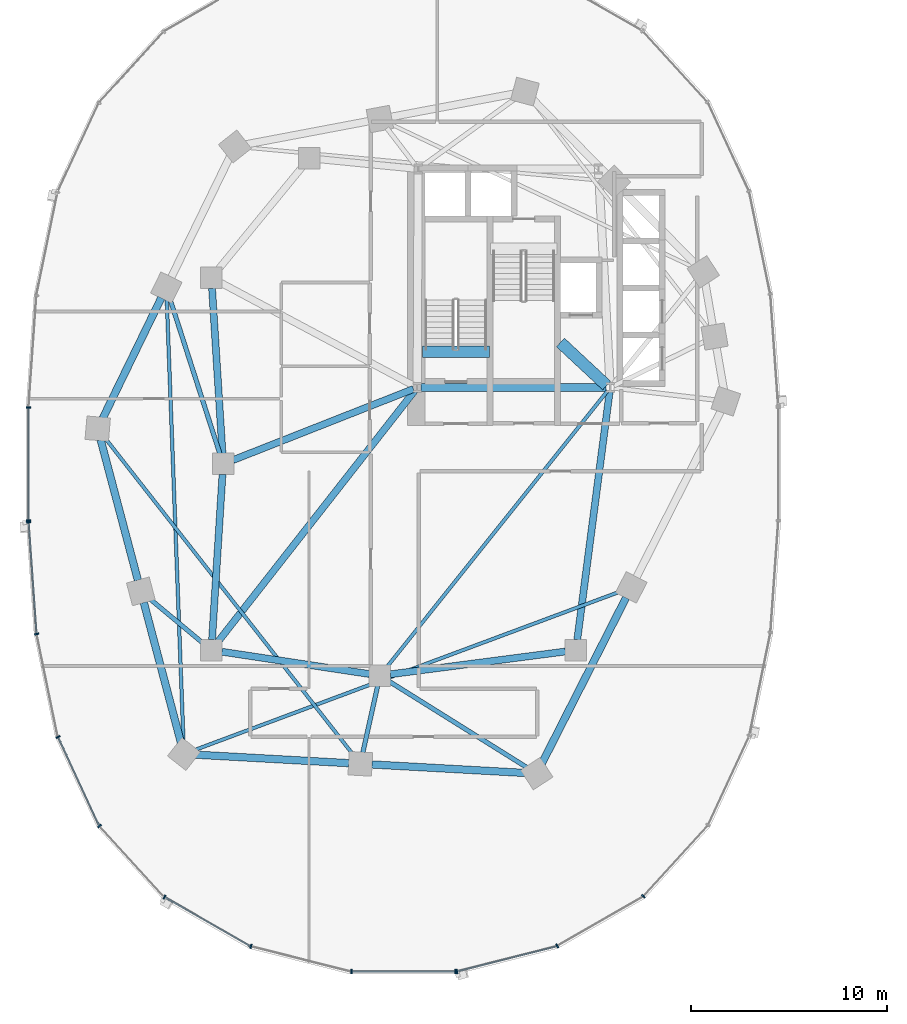
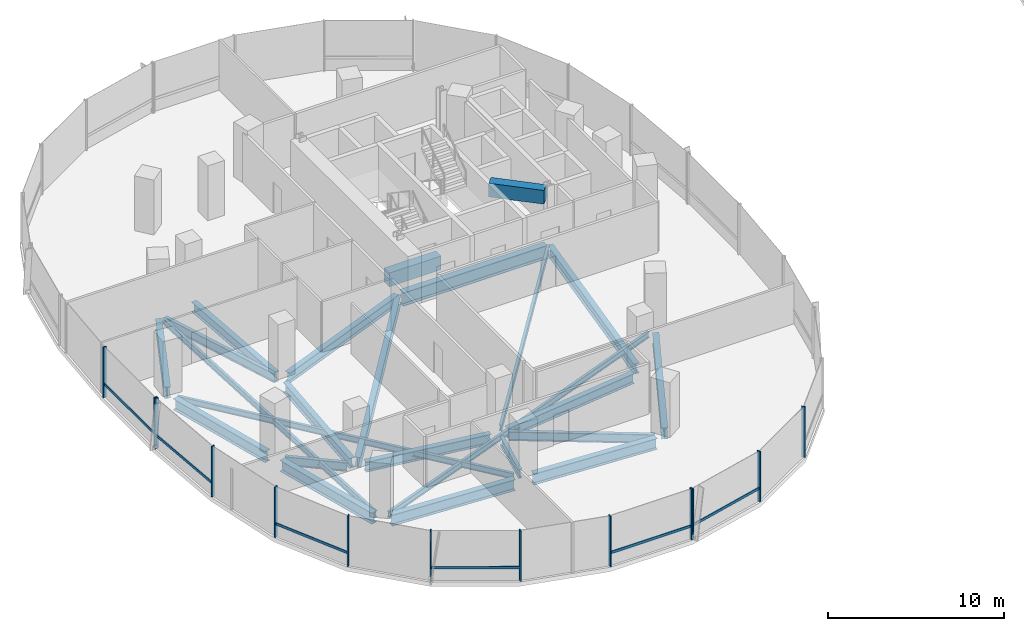
# One storey, part 2 of 21: 24 beams, 19 members, 3 elements without a shape of their own.
"""IFC4 building model written with IfcOpenShell, lengths in metres."""

from ifc_helpers import new_model, si_unit, direction, frame, origin, origin_2d, place, context, subcontext, project, spatial, rectangle, i_section, extrude, material, material_profile, profile_set, type_object, element, aggregate, save


model = new_model("IFC4")

# Units and contexts
model_context = context("Model", 3, precision=1e-05, world=origin(), true_north=direction((0.0, 1.0)))
body_context = subcontext(model_context, "Body", "Model", "MODEL_VIEW")
ifc_project = project(units=[si_unit("LENGTHUNIT", "METRE"), si_unit("AREAUNIT", "SQUARE_METRE"), si_unit("VOLUMEUNIT", "CUBIC_METRE"), si_unit("PLANEANGLEUNIT", "RADIAN"), si_unit("MASSUNIT", "GRAM", prefix="KILO"), si_unit("THERMODYNAMICTEMPERATUREUNIT", "KELVIN"), si_unit("POWERUNIT", "WATT")], contexts=[model_context])

# Site, building, storey
site_placement = place(None, origin())
site = spatial("IfcSite", under=ifc_project, at=site_placement, CompositionType="ELEMENT")
building_placement = place(site_placement, origin())
building = spatial("IfcBuilding", under=site, at=building_placement, Name="Cundina Bronze Exchange", CompositionType="ELEMENT")
storey_placement = place(building_placement, frame((0.0, 0.0, 50.60009765625)))
storey = spatial("IfcBuildingStorey", under=building, at=storey_placement, Name="L12", CompositionType="ELEMENT", Elevation=50.60009765625)

# Beams
ifc_material_1 = material(Name="Concrete C60/75", Category="concrete")
ifc_material_profile_1 = material_profile(ifc_material_1, rectangle(XDim=0.60009765625, YDim=0.949951171875, at=origin_2d()), Name="RC600X950", Category="concrete")
ifc_profile_set_1 = profile_set([ifc_material_profile_1], Name="Concrete C60/75")
beam_type_1 = type_object("IfcBeamType", Name="BM-COUP-RC950", PredefinedType="LINTEL", material=ifc_profile_set_1)
beam_1_placement = place(storey_placement, frame((-31.02001953125, 5.719970703125, -0.47509765625), z_axis=(1.0, 0.0, 0.0), x_axis=(0.0, 1.0, 0.0)))
element("IfcBeam", 1, at=beam_1_placement, inside=storey, type_object=beam_type_1, Name="L12 Stair W1 Landing Header Beam", PredefinedType="LINTEL", context=body_context, shape_type="SweptSolid", body=[
    extrude(rectangle(XDim=0.60009765625, YDim=0.949951171875, at=origin_2d()), origin(), (0.0, 0.0, 1.0), 3.39990234375),
])
beam_2_placement = place(storey_placement, frame((-23.989990234375, 6.199951171875, 3.02490234375), z_axis=(0.731490439815, -0.681851696822, 0.0), x_axis=(0.681851696822, 0.731490439815, 0.0)))
element("IfcBeam", 2, at=beam_2_placement, inside=storey, type_object=beam_type_1, Name="L12 W Core Shear Coupling Lintel Beam", PredefinedType="LINTEL", context=body_context, shape_type="SweptSolid", body=[
    extrude(rectangle(XDim=0.60009765625, YDim=0.949951171875, at=origin_2d()), origin(), (0.0, 0.0, 1.0), 3.226318359375),
])
ifc_material_2 = material(Name="Steel ASTM A992 Grade 50", Category="steel")
ifc_material_profile_2 = material_profile(ifc_material_2, i_section(OverallWidth=0.22998046875, OverallDepth=0.616943359375, WebThickness=0.01318359375, FlangeThickness=0.022216796875, FilletRadius=0.013916015625, at=origin_2d()), Name="W24X94", Category="steel")
ifc_profile_set_2 = profile_set([ifc_material_profile_2], Name="Steel ASTM A992 Grade 50")
beam_type_2 = type_object("IfcBeamType", Name="BM-FLR-W24B", PredefinedType="BEAM", material=ifc_profile_set_2)
beam_3_placement = place(storey_placement, frame((-41.364990234375, 0.51220703125, -0.608642578125), z_axis=(-0.306706454167, 0.951804155787, 0.0), x_axis=(-0.951804155787, -0.306706454167, 0.0)))
element("IfcBeam", 3, at=beam_3_placement, inside=storey, type_object=beam_type_2, Name="L12 Leg W Radial Floor Beam 07", PredefinedType="BEAM", context=body_context, shape_type="SweptSolid", body=[
    extrude(i_section(OverallWidth=0.22998046875, OverallDepth=0.616943359375, WebThickness=0.01318359375, FlangeThickness=0.022216796875, FilletRadius=0.013916015625, at=origin_2d()), origin(), (0.0, 0.0, 1.0), 8.329345703125),
])
beam_4_placement = place(storey_placement, frame((-42.21337890625, -9.155517578125, -0.608642578125), z_axis=(-0.768221279597, 0.640184399664, 0.0), x_axis=(-0.640184399664, -0.768221279597, 0.0)))
element("IfcBeam", 4, at=beam_4_placement, inside=storey, type_object=beam_type_2, Name="L12 Leg W Radial Floor Beam 09", PredefinedType="BEAM", context=body_context, shape_type="SweptSolid", body=[
    extrude(i_section(OverallWidth=0.22998046875, OverallDepth=0.616943359375, WebThickness=0.01318359375, FlangeThickness=0.022216796875, FilletRadius=0.013916015625, at=origin_2d()), origin(), (0.0, 0.0, 1.0), 3.56005859375),
])
beam_5_placement = place(storey_placement, frame((-33.316650390625, -11.3251953125, -0.608642578125), z_axis=(-0.216960137628, -0.976180464197, 0.0), x_axis=(0.976180464197, -0.216960137628, 0.0)))
element("IfcBeam", 5, at=beam_5_placement, inside=storey, type_object=beam_type_2, Name="L12 Leg W Radial Floor Beam 11", PredefinedType="BEAM", context=body_context, shape_type="SweptSolid", body=[
    extrude(i_section(OverallWidth=0.22998046875, OverallDepth=0.616943359375, WebThickness=0.01318359375, FlangeThickness=0.022216796875, FilletRadius=0.013916015625, at=origin_2d()), origin(), (0.0, 0.0, 1.0), 3.48388671875),
])
beam_6_placement = place(storey_placement, frame((-32.743896484375, -11.085205078125, -0.608642578125), z_axis=(0.848014812458, -0.529972525563, 0.0), x_axis=(0.529972525563, 0.848014812458, 0.0)))
element("IfcBeam", 6, at=beam_6_placement, inside=storey, type_object=beam_type_2, Name="L12 Leg W Radial Floor Beam 12", PredefinedType="BEAM", context=body_context, shape_type="SweptSolid", body=[
    extrude(i_section(OverallWidth=0.22998046875, OverallDepth=0.616943359375, WebThickness=0.01318359375, FlangeThickness=0.022216796875, FilletRadius=0.013916015625, at=origin_2d()), origin(), (0.0, 0.0, 1.0), 8.30810546875),
])
ifc_material_profile_3 = material_profile(ifc_material_2, i_section(OverallWidth=0.178955078125, OverallDepth=0.409912109375, WebThickness=0.0087890625, FlangeThickness=0.014404296875, FilletRadius=0.010986328125, at=origin_2d()), Name="W16X45", Category="steel")
ifc_profile_set_3 = profile_set([ifc_material_profile_3], Name="Steel ASTM A992 Grade 50")
beam_type_3 = type_object("IfcBeamType", Name="BM-JST-W16", PredefinedType="JOIST", material=ifc_profile_set_3)
beam_7_placement = place(storey_placement, frame((-21.577392578125, 3.740478515625, -0.505126953125), z_axis=(-0.62436887964, -0.781129632095, 0.0), x_axis=(0.781129632095, -0.62436887964, 0.0)))
element("IfcBeam", 7, at=beam_7_placement, inside=storey, type_object=beam_type_3, Name="L12 W Interior Core-to-Ring Joist 2", PredefinedType="JOIST", context=body_context, shape_type="SweptSolid", body=[
    extrude(i_section(OverallWidth=0.178955078125, OverallDepth=0.409912109375, WebThickness=0.0087890625, FlangeThickness=0.014404296875, FilletRadius=0.010986328125, at=origin_2d()), origin(), (0.0, 0.0, 1.0), 18.076904296875),
])
beam_8_placement = place(storey_placement, frame((-44.077880859375, 8.412353515625, -0.505126953125), z_axis=(0.037794949147, -0.999285515666, 0.0), x_axis=(0.999285515666, 0.037794949147, 0.0)))
element("IfcBeam", 8, at=beam_8_placement, inside=storey, type_object=beam_type_3, Name="L12 Leg W Lobe Floor Joist 07-10", PredefinedType="JOIST", context=body_context, shape_type="SweptSolid", body=[
    extrude(i_section(OverallWidth=0.178955078125, OverallDepth=0.409912109375, WebThickness=0.0087890625, FlangeThickness=0.014404296875, FilletRadius=0.010986328125, at=origin_2d()), origin(), (0.0, 0.0, 1.0), 22.640869140625),
])
beam_9_placement = place(storey_placement, frame((-47.2373046875, 1.337158203125, -0.505126953125), z_axis=(0.616803089524, -0.787117493614, 0.0), x_axis=(0.787117493614, 0.616803089524, 0.0)))
element("IfcBeam", 9, at=beam_9_placement, inside=storey, type_object=beam_type_3, Name="L12 Leg W Lobe Floor Joist 08-11", PredefinedType="JOIST", context=body_context, shape_type="SweptSolid", body=[
    extrude(i_section(OverallWidth=0.178955078125, OverallDepth=0.409912109375, WebThickness=0.0087890625, FlangeThickness=0.014404296875, FilletRadius=0.010986328125, at=origin_2d()), origin(), (0.0, 0.0, 1.0), 20.548828125),
])
beam_10_placement = place(storey_placement, frame((-42.64892578125, -14.5947265625, -0.505126953125), z_axis=(0.937127912449, 0.348986068074, 0.0), x_axis=(-0.348986068074, 0.937127912449, 0.0)))
element("IfcBeam", 10, at=beam_10_placement, inside=storey, type_object=beam_type_3, Name="L12 Leg W Lobe Floor Joist 10-13", PredefinedType="JOIST", context=body_context, shape_type="SweptSolid", body=[
    extrude(i_section(OverallWidth=0.178955078125, OverallDepth=0.409912109375, WebThickness=0.0087890625, FlangeThickness=0.014404296875, FilletRadius=0.010986328125, at=origin_2d()), origin(), (0.0, 0.0, 1.0), 23.18017578125),
])
ifc_material_profile_4 = material_profile(ifc_material_2, i_section(OverallWidth=0.35498046875, OverallDepth=0.695068359375, WebThickness=0.015380859375, FlangeThickness=0.02490234375, FilletRadius=0.01806640625, at=origin_2d()), Name="W27X146", Category="steel")
ifc_profile_set_4 = profile_set([ifc_material_profile_4], Name="Steel ASTM A992 Grade 50")
beam_type_4 = type_object("IfcBeamType", Name="BM-RING-W27", PredefinedType="USERDEFINED", material=ifc_profile_set_4)
for number, where, z_axis, x_axis, name in (
    (11, (-41.76611328125, 8.963134765625, -0.647705078125), (0.06303715519, -0.998011180832, 0.0), (0.998011180832, 0.06303715519, 0.0), "L12 W Inner Structural Ring Girder 03"),
    (12, (-41.23388671875, -0.536865234375, -0.647705078125), (-0.06303715519, -0.998011180832, 0.0), (0.998011180832, -0.06303715519, 0.0), "L12 W Inner Structural Ring Girder 04"),
):
    element("IfcBeam", number, at=place(storey_placement, frame(where, z_axis=z_axis, x_axis=x_axis)), inside=storey, type_object=beam_type_4, Name=name, ObjectType="GIRDER", PredefinedType="USERDEFINED", context=body_context, shape_type="SweptSolid", body=[
        extrude(i_section(OverallWidth=0.35498046875, OverallDepth=0.695068359375, WebThickness=0.015380859375, FlangeThickness=0.02490234375, FilletRadius=0.01806640625, at=origin_2d()), origin(), (0.0, 0.0, 1.0), 8.443115234375),
    ])
beam_11_placement = place(storey_placement, frame((-41.26806640625, -9.580322265625, -0.647705078125), z_axis=(0.988767489563, -0.149461873341, 0.0), x_axis=(0.149461873341, 0.988767489563, 0.0)))
element("IfcBeam", 13, at=beam_11_placement, inside=storey, type_object=beam_type_4, Name="L12 W Inner Structural Ring Girder 05", ObjectType="GIRDER", PredefinedType="USERDEFINED", context=body_context, shape_type="SweptSolid", body=[
    extrude(i_section(OverallWidth=0.35498046875, OverallDepth=0.695068359375, WebThickness=0.015380859375, FlangeThickness=0.02490234375, FilletRadius=0.01806640625, at=origin_2d()), origin(), (0.0, 0.0, 1.0), 7.621826171875),
])
beam_12_placement = place(storey_placement, frame((-32.66650390625, -10.730712890625, -0.647705078125), z_axis=(0.991654577907, 0.128923225666, 0.0), x_axis=(-0.128923225666, 0.991654577907, 0.0)))
element("IfcBeam", 14, at=beam_12_placement, inside=storey, type_object=beam_type_4, Name="L12 W Inner Structural Ring Girder 06", ObjectType="GIRDER", PredefinedType="USERDEFINED", context=body_context, shape_type="SweptSolid", body=[
    extrude(i_section(OverallWidth=0.35498046875, OverallDepth=0.695068359375, WebThickness=0.015380859375, FlangeThickness=0.02490234375, FilletRadius=0.01806640625, at=origin_2d()), origin(), (0.0, 0.0, 1.0), 9.00830078125),
])
beam_13_placement = place(storey_placement, frame((-23.13037109375, -8.966552734375, -0.647705078125), z_axis=(0.129507526533, 0.99157843894, 0.0), x_axis=(-0.99157843894, 0.129507526533, 0.0)))
element("IfcBeam", 15, at=beam_13_placement, inside=storey, type_object=beam_type_4, Name="L12 W Inner Structural Ring Girder 07", ObjectType="GIRDER", PredefinedType="USERDEFINED", context=body_context, shape_type="SweptSolid", body=[
    extrude(i_section(OverallWidth=0.35498046875, OverallDepth=0.695068359375, WebThickness=0.015380859375, FlangeThickness=0.02490234375, FilletRadius=0.01806640625, at=origin_2d()), origin(), (0.0, 0.0, 1.0), 12.77197265625),
])
beam_14_placement = place(storey_placement, frame((-31.48974609375, 3.8251953125, -0.647705078125), z_axis=(-0.930413235418, -0.366512225388, 0.0), x_axis=(0.366512225388, -0.930413235418, 0.0)))
element("IfcBeam", 16, at=beam_14_placement, inside=storey, type_object=beam_type_4, Name="L12 W Core-to-Waist Tie Beam 1", ObjectType="GIRDER", PredefinedType="USERDEFINED", context=body_context, shape_type="SweptSolid", body=[
    extrude(i_section(OverallWidth=0.35498046875, OverallDepth=0.695068359375, WebThickness=0.015380859375, FlangeThickness=0.02490234375, FilletRadius=0.01806640625, at=origin_2d()), origin(), (0.0, 0.0, 1.0), 9.8984375),
])
beam_15_placement = place(storey_placement, frame((-31.42578125, 3.739501953125, -0.647705078125), z_axis=(-0.616789275748, -0.787128318206, 0.0), x_axis=(0.787128318206, -0.616789275748, 0.0)))
element("IfcBeam", 17, at=beam_15_placement, inside=storey, type_object=beam_type_4, Name="L12 W Core-to-Waist Tie Beam 3", ObjectType="GIRDER", PredefinedType="USERDEFINED", context=body_context, shape_type="SweptSolid", body=[
    extrude(i_section(OverallWidth=0.35498046875, OverallDepth=0.695068359375, WebThickness=0.015380859375, FlangeThickness=0.02490234375, FilletRadius=0.01806640625, at=origin_2d()), origin(), (0.0, 0.0, 1.0), 16.281982421875),
])
ifc_material_profile_5 = material_profile(ifc_material_2, i_section(OverallWidth=0.381103515625, OverallDepth=0.77294921875, WebThickness=0.0166015625, FlangeThickness=0.027099609375, FilletRadius=0.01904296875, at=origin_2d()), Name="W30X173", Category="steel")
ifc_profile_set_5 = profile_set([ifc_material_profile_5], Name="Steel ASTM A992 Grade 50")
beam_type_5 = type_object("IfcBeamType", Name="BM-RING-W30", PredefinedType="USERDEFINED", material=ifc_profile_set_5)
beam_16_placement = place(storey_placement, frame((-44.357177734375, 8.47119140625, -0.6865234375), z_axis=(-0.437190698904, -0.899368830231, 0.0), x_axis=(0.899368830231, -0.437190698904, 0.0)))
element("IfcBeam", 18, at=beam_16_placement, inside=storey, type_object=beam_type_5, Name="L12 W Perimeter Ring Girder 07", ObjectType="GIRDER", PredefinedType="USERDEFINED", context=body_context, shape_type="SweptSolid", body=[
    extrude(i_section(OverallWidth=0.381103515625, OverallDepth=0.77294921875, WebThickness=0.0166015625, FlangeThickness=0.027099609375, FilletRadius=0.01904296875, at=origin_2d()), origin(), (0.0, 0.0, 1.0), 6.82958984375),
])
for number, where, z_axis, x_axis, name in (
    (19, (-47.44921875, 1.231689453125, -0.6865234375), (0.256177785604, -0.966629682021, 0.0), (0.966629682021, 0.256177785604, 0.0), "L12 W Perimeter Ring Girder 08"),
    (20, (-45.249267578125, -7.068359375, -0.6865234375), (0.256208567826, -0.966621523541, 0.0), (0.966621523541, 0.256208567826, 0.0), "L12 W Perimeter Ring Girder 09"),
):
    element("IfcBeam", number, at=place(storey_placement, frame(where, z_axis=z_axis, x_axis=x_axis)), inside=storey, type_object=beam_type_5, Name=name, ObjectType="GIRDER", PredefinedType="USERDEFINED", context=body_context, shape_type="SweptSolid", body=[
        extrude(i_section(OverallWidth=0.381103515625, OverallDepth=0.77294921875, WebThickness=0.0166015625, FlangeThickness=0.027099609375, FilletRadius=0.01904296875, at=origin_2d()), origin(), (0.0, 0.0, 1.0), 7.41064453125),
    ])
for number, where, z_axis, x_axis, name in (
    (21, (-42.61279296875, -14.83251953125, -0.6865234375), (0.998459969805, -0.055476920391, 0.0), (0.055476920391, 0.998459969805, 0.0), "L12 W Perimeter Ring Girder 10"),
    (22, (-33.61279296875, -15.33251953125, -0.6865234375), (0.998459969805, -0.055476920391, 0.0), (0.055476920391, 0.998459969805, 0.0), "L12 W Perimeter Ring Girder 11"),
):
    element("IfcBeam", number, at=place(storey_placement, frame(where, z_axis=z_axis, x_axis=x_axis)), inside=storey, type_object=beam_type_5, Name=name, ObjectType="GIRDER", PredefinedType="USERDEFINED", context=body_context, shape_type="SweptSolid", body=[
        extrude(i_section(OverallWidth=0.381103515625, OverallDepth=0.77294921875, WebThickness=0.0166015625, FlangeThickness=0.027099609375, FilletRadius=0.01904296875, at=origin_2d()), origin(), (0.0, 0.0, 1.0), 7.837646484375),
    ])
beam_17_placement = place(storey_placement, frame((-24.93359375, -15.275634765625, -0.6865234375), z_axis=(0.452819633606, 0.891602141889, 0.0), x_axis=(-0.891602141889, 0.452819633606, 0.0)))
element("IfcBeam", 23, at=beam_17_placement, inside=storey, type_object=beam_type_5, Name="L12 W Perimeter Ring Girder 12", ObjectType="GIRDER", PredefinedType="USERDEFINED", context=body_context, shape_type="SweptSolid", body=[
    extrude(i_section(OverallWidth=0.381103515625, OverallDepth=0.77294921875, WebThickness=0.0166015625, FlangeThickness=0.027099609375, FilletRadius=0.01904296875, at=origin_2d()), origin(), (0.0, 0.0, 1.0), 9.47900390625),
])
ifc_material_profile_6 = material_profile(ifc_material_2, i_section(OverallWidth=0.41796875, OverallDepth=0.927001953125, WebThickness=0.019287109375, FlangeThickness=0.031982421875, FilletRadius=0.02392578125, at=origin_2d()), Name="W36X231", Category="steel")
ifc_profile_set_6 = profile_set([ifc_material_profile_6], Name="Steel ASTM A992 Grade 50")
beam_type_6 = type_object("IfcBeamType", Name="BM-WRN-W36B", PredefinedType="USERDEFINED", material=ifc_profile_set_6)
beam_18_placement = place(storey_placement, frame((-31.095947265625, 3.89990234375, -0.763671875), z_axis=(1.0, 0.0, 0.0), x_axis=(0.0, 1.0, 0.0)))
element("IfcBeam", 24, at=beam_18_placement, inside=storey, type_object=beam_type_6, Name="L12 W Core Perimeter Tie Girder 1", ObjectType="GIRDER", PredefinedType="USERDEFINED", context=body_context, shape_type="SweptSolid", body=[
    extrude(i_section(OverallWidth=0.41796875, OverallDepth=0.927001953125, WebThickness=0.019287109375, FlangeThickness=0.031982421875, FilletRadius=0.02392578125, at=origin_2d()), origin(), (0.0, 0.0, 1.0), 9.44189453125),
])

# Curtain wall, members
ifc_material_3 = material(Name="Anodised Bronze Aluminium 6063-T6", Category="aluminium")
curtain_wall_type = type_object("IfcCurtainWallType", Name="CWS-TRD-LOW", PredefinedType="NOTDEFINED", material=ifc_material_3)
curtain_wall_1_placement = place(storey_placement, origin())
curtain_wall_1 = element("IfcCurtainWall", 25, at=curtain_wall_1_placement, inside=storey, type_object=curtain_wall_type, Name="L12 CW-02 Curtain Wall Run CWR-L12-W2", PredefinedType="NOTDEFINED")
ifc_material_profile_7 = material_profile(ifc_material_3, rectangle(XDim=0.074951171875, YDim=0.219970703125, at=origin_2d()), Name="AL75X220", Category="aluminium")
ifc_profile_set_7 = profile_set([ifc_material_profile_7], Name="Anodised Bronze Aluminium 6063-T6")
member_type_1 = type_object("IfcMemberType", Name="CWM-MUL-220", PredefinedType="MULLION", material=ifc_profile_set_7)
member_1_placement = place(storey_placement, frame((-51.1279296875, 2.880615234375, 0.0), z_axis=(0.0, 0.0, 1.0), x_axis=(0.0, -1.0, 0.0)))
member_1 = element("IfcMember", 26, at=member_1_placement, type_object=member_type_1, Name="CW-02 Mullion 7", PredefinedType="MULLION", context=body_context, shape_type="SweptSolid", body=[
    extrude(rectangle(XDim=0.074951171875, YDim=0.219970703125, at=origin_2d()), origin(), (0.0, 0.0, 1.0), 3.5),
])
member_2_placement = place(storey_placement, frame((-51.1279296875, -2.880615234375, 0.0), z_axis=(0.0, 0.0, 1.0), x_axis=(0.0, -1.0, 0.0)))
member_2 = element("IfcMember", 27, at=member_2_placement, type_object=member_type_1, Name="CW-02 End Mullion", PredefinedType="MULLION", context=body_context, shape_type="SweptSolid", body=[
    extrude(rectangle(XDim=0.074951171875, YDim=0.219970703125, at=origin_2d()), origin(), (0.0, 0.0, 1.0), 3.5),
])

curtain_wall_2_placement = place(storey_placement, origin())
curtain_wall_2 = element("IfcCurtainWall", 28, at=curtain_wall_2_placement, inside=storey, type_object=curtain_wall_type, Name="L12 CW-02 Curtain Wall Run CWR-L12-W3", PredefinedType="NOTDEFINED")
member_3_placement = place(storey_placement, frame((-51.12451171875, -2.976318359375, 0.0), z_axis=(0.0, 0.0, 1.0), x_axis=(0.070278787473, -0.997527389113, 0.0)))
member_3 = element("IfcMember", 29, at=member_3_placement, type_object=member_type_1, Name="CW-02 Mullion 1", PredefinedType="MULLION", context=body_context, shape_type="SweptSolid", body=[
    extrude(rectangle(XDim=0.074951171875, YDim=0.219970703125, at=origin_2d()), origin(), (0.0, 0.0, 1.0), 3.5),
])
member_4_placement = place(storey_placement, frame((-50.717041015625, -8.67822265625, 0.0), z_axis=(0.0, 0.0, 1.0), x_axis=(0.201419845156, -0.979505000486, 0.0)))
member_4 = element("IfcMember", 30, at=member_4_placement, type_object=member_type_1, Name="CW-02 Mullion 2", PredefinedType="MULLION", context=body_context, shape_type="SweptSolid", body=[
    extrude(rectangle(XDim=0.074951171875, YDim=0.219970703125, at=origin_2d()), origin(), (0.0, 0.0, 1.0), 3.5),
])
member_5_placement = place(storey_placement, frame((-49.6279296875, -13.931884765625, 0.0), z_axis=(0.0, 0.0, 1.0), x_axis=(0.42087749791, -0.907117485088, 0.0)))
member_5 = element("IfcMember", 31, at=member_5_placement, type_object=member_type_1, Name="CW-02 Mullion 3", PredefinedType="MULLION", context=body_context, shape_type="SweptSolid", body=[
    extrude(rectangle(XDim=0.074951171875, YDim=0.219970703125, at=origin_2d()), origin(), (0.0, 0.0, 1.0), 3.5),
])
member_6_placement = place(storey_placement, frame((-47.508544921875, -18.47705078125, 0.0), z_axis=(0.0, 0.0, 1.0), x_axis=(0.674302387584, -0.738455340626, 0.0)))
member_6 = element("IfcMember", 32, at=member_6_placement, type_object=member_type_1, Name="CW-02 Mullion 4", PredefinedType="MULLION", context=body_context, shape_type="SweptSolid", body=[
    extrude(rectangle(XDim=0.074951171875, YDim=0.219970703125, at=origin_2d()), origin(), (0.0, 0.0, 1.0), 3.5),
])
member_7_placement = place(storey_placement, frame((-44.189697265625, -22.097412109375, 0.0), z_axis=(0.0, 0.0, 1.0), x_axis=(0.867070701164, -0.498185105339, 0.0)))
member_7 = element("IfcMember", 33, at=member_7_placement, type_object=member_type_1, Name="CW-02 Mullion 5", PredefinedType="MULLION", context=body_context, shape_type="SweptSolid", body=[
    extrude(rectangle(XDim=0.074951171875, YDim=0.219970703125, at=origin_2d()), origin(), (0.0, 0.0, 1.0), 3.5),
])
member_8_placement = place(storey_placement, frame((-39.78515625, -24.61669921875, 0.0), z_axis=(0.0, 0.0, 1.0), x_axis=(0.969488149345, -0.245138182011, 0.0)))
member_8 = element("IfcMember", 34, at=member_8_placement, type_object=member_type_1, Name="CW-02 Mullion 6", PredefinedType="MULLION", context=body_context, shape_type="SweptSolid", body=[
    extrude(rectangle(XDim=0.074951171875, YDim=0.219970703125, at=origin_2d()), origin(), (0.0, 0.0, 1.0), 3.5),
])
member_9_placement = place(storey_placement, frame((-34.654541015625, -25.905029296875, 0.0), z_axis=(0.0, 0.0, 1.0), x_axis=(1.0, 0.0, 0.0)))
member_9 = element("IfcMember", 35, at=member_9_placement, type_object=member_type_1, Name="CW-02 Mullion 7", PredefinedType="MULLION", context=body_context, shape_type="SweptSolid", body=[
    extrude(rectangle(XDim=0.074951171875, YDim=0.219970703125, at=origin_2d()), origin(), (0.0, 0.0, 1.0), 3.5),
])
member_10_placement = place(storey_placement, frame((-29.345458984375, -25.905029296875, 0.0), z_axis=(0.0, 0.0, 1.0), x_axis=(1.0, 0.0, 0.0)))
member_10 = element("IfcMember", 36, at=member_10_placement, type_object=member_type_1, Name="CW-02 End Mullion", PredefinedType="MULLION", context=body_context, shape_type="SweptSolid", body=[
    extrude(rectangle(XDim=0.074951171875, YDim=0.219970703125, at=origin_2d()), origin(), (0.0, 0.0, 1.0), 3.5),
])

curtain_wall_3_placement = place(storey_placement, origin())
curtain_wall_3 = element("IfcCurtainWall", 37, at=curtain_wall_3_placement, inside=storey, type_object=curtain_wall_type, Name="L12 CW-02 Curtain Wall Run CWR-L12-W4", PredefinedType="NOTDEFINED")
member_11_placement = place(storey_placement, frame((-29.27392578125, -25.89599609375, 0.0), z_axis=(0.0, 0.0, 1.0), x_axis=(0.969488149345, 0.245138182011, 0.0)))
member_11 = element("IfcMember", 38, at=member_11_placement, type_object=member_type_1, Name="CW-02 Mullion 1", PredefinedType="MULLION", context=body_context, shape_type="SweptSolid", body=[
    extrude(rectangle(XDim=0.074951171875, YDim=0.219970703125, at=origin_2d()), origin(), (0.0, 0.0, 1.0), 3.5),
])
member_12_placement = place(storey_placement, frame((-24.151123046875, -24.591064453125, 0.0), z_axis=(0.0, 0.0, 1.0), x_axis=(0.867070701164, 0.498185105339, 0.0)))
member_12 = element("IfcMember", 39, at=member_12_placement, type_object=member_type_1, Name="CW-02 Mullion 2", PredefinedType="MULLION", context=body_context, shape_type="SweptSolid", body=[
    extrude(rectangle(XDim=0.074951171875, YDim=0.219970703125, at=origin_2d()), origin(), (0.0, 0.0, 1.0), 3.5),
])
member_13_placement = place(storey_placement, frame((-19.760498046875, -22.0576171875, 0.0), z_axis=(0.0, 0.0, 1.0), x_axis=(0.674302387584, 0.738455340626, 0.0)))
member_13 = element("IfcMember", 40, at=member_13_placement, type_object=member_type_1, Name="CW-02 Mullion 3", PredefinedType="MULLION", context=body_context, shape_type="SweptSolid", body=[
    extrude(rectangle(XDim=0.074951171875, YDim=0.219970703125, at=origin_2d()), origin(), (0.0, 0.0, 1.0), 3.5),
])

# Member
ifc_material_profile_8 = material_profile(ifc_material_3, rectangle(XDim=0.070068359375, YDim=0.179931640625, at=origin_2d()), Name="AL70X180", Category="aluminium")
ifc_profile_set_8 = profile_set([ifc_material_profile_8], Name="Anodised Bronze Aluminium 6063-T6")
member_type_2 = type_object("IfcMemberType", Name="CWM-TRN-180", PredefinedType="USERDEFINED", material=ifc_profile_set_8)
member_14_placement = place(storey_placement, frame((-51.1279296875, 2.839111328125, 0.919921875), z_axis=(0.0, -1.0, 0.0), x_axis=(1.0, 0.0, 0.0)))
member_14 = element("IfcMember", 41, at=member_14_placement, type_object=member_type_2, Name="CW-02 Spandrel Transom 7", ObjectType="TRANSOM", PredefinedType="USERDEFINED", context=body_context, shape_type="SweptSolid", body=[
    extrude(rectangle(XDim=0.070068359375, YDim=0.179931640625, at=origin_2d()), origin(), (0.0, 0.0, 1.0), 5.67822265625),
])

aggregate(curtain_wall_1, [member_1, member_2, member_14])

member_15_placement = place(storey_placement, frame((-51.12158203125, -3.017333984375, 0.919921875), z_axis=(0.070260714471, -0.997528662246, 0.0), x_axis=(0.997528662246, 0.070260714471, 0.0)))
member_15 = element("IfcMember", 42, at=member_15_placement, type_object=member_type_2, Name="CW-02 Spandrel Transom 1", ObjectType="TRANSOM", PredefinedType="USERDEFINED", context=body_context, shape_type="SweptSolid", body=[
    extrude(rectangle(XDim=0.070068359375, YDim=0.179931640625, at=origin_2d()), origin(), (0.0, 0.0, 1.0), 5.629150390625),
])

member_16_placement = place(storey_placement, frame((-49.610595703125, -13.96923828125, 0.919921875), z_axis=(0.420811422796, -0.907148139195, 0.0), x_axis=(0.907148139195, 0.420811422796, 0.0)))
member_16 = element("IfcMember", 43, at=member_16_placement, type_object=member_type_2, Name="CW-02 Spandrel Transom 3", ObjectType="TRANSOM", PredefinedType="USERDEFINED", context=body_context, shape_type="SweptSolid", body=[
    extrude(rectangle(XDim=0.070068359375, YDim=0.179931640625, at=origin_2d()), origin(), (0.0, 0.0, 1.0), 4.95166015625),
])

member_17_placement = place(storey_placement, frame((-44.154052734375, -22.117919921875, 0.919921875), z_axis=(0.867097475651, -0.498138502546, 0.0), x_axis=(0.498138502546, 0.867097475651, 0.0)))
member_17 = element("IfcMember", 44, at=member_17_placement, type_object=member_type_2, Name="CW-02 Spandrel Transom 5", ObjectType="TRANSOM", PredefinedType="USERDEFINED", context=body_context, shape_type="SweptSolid", body=[
    extrude(rectangle(XDim=0.070068359375, YDim=0.179931640625, at=origin_2d()), origin(), (0.0, 0.0, 1.0), 5.00634765625),
])

member_18_placement = place(storey_placement, frame((-34.61328125, -25.905029296875, 0.919921875), z_axis=(1.0, 0.0, 0.0), x_axis=(0.0, 1.0, 0.0)))
member_18 = element("IfcMember", 45, at=member_18_placement, type_object=member_type_2, Name="CW-02 Spandrel Transom 7", ObjectType="TRANSOM", PredefinedType="USERDEFINED", context=body_context, shape_type="SweptSolid", body=[
    extrude(rectangle(XDim=0.070068359375, YDim=0.179931640625, at=origin_2d()), origin(), (0.0, 0.0, 1.0), 5.2265625),
])

aggregate(curtain_wall_2, [member_3, member_15, member_4, member_5, member_16, member_6, member_7, member_17, member_8, member_9, member_10, member_18])

member_19_placement = place(storey_placement, frame((-29.23388671875, -25.885986328125, 0.919921875), z_axis=(0.969483968866, 0.245154714644, 0.0), x_axis=(-0.245154714644, 0.969483968866, 0.0)))
member_19 = element("IfcMember", 46, at=member_19_placement, type_object=member_type_2, Name="CW-02 Spandrel Transom 1", ObjectType="TRANSOM", PredefinedType="USERDEFINED", context=body_context, shape_type="SweptSolid", body=[
    extrude(rectangle(XDim=0.070068359375, YDim=0.179931640625, at=origin_2d()), origin(), (0.0, 0.0, 1.0), 5.21826171875),
])

aggregate(curtain_wall_3, [member_11, member_19, member_12, member_13])

save(model, "model.ifc")
